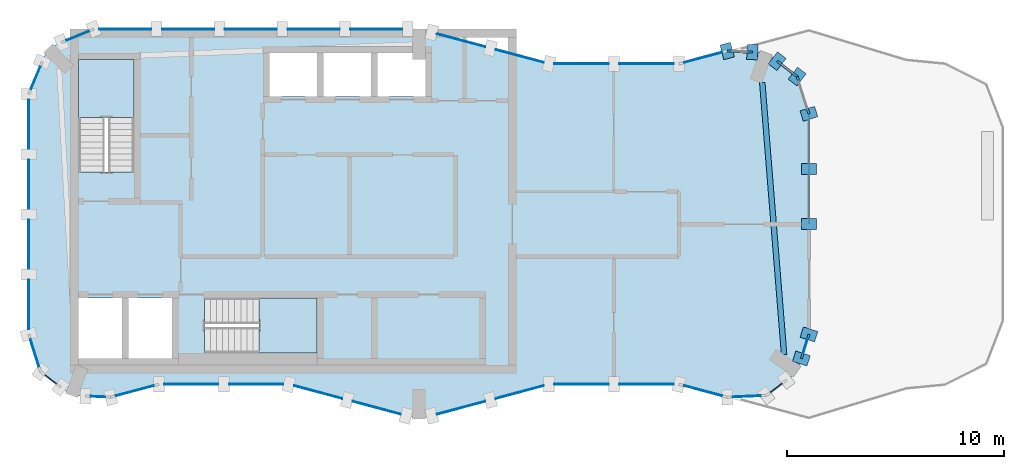
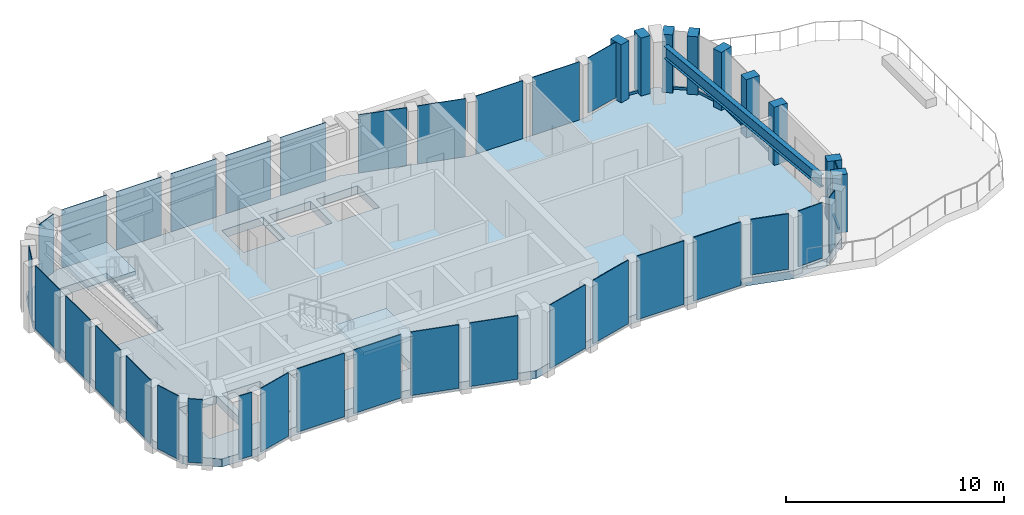
# One storey, part 2 of 5: 32 plates, 14 members, 3 slabs, 1 beam, 25 elements without a shape of their own.
"""IFC4 building model written with IfcOpenShell, lengths in metres."""

import ifcopenshell
import ifcopenshell.guid

model = None  # the IFC model being written
_history = None  # IfcOwnerHistory: only IFC2X3 demands one
_inside = {}  # id of a spatial element -> (the spatial element, [elements in it])
_under = {}  # id of a project, library or spatial element -> (it, [spatial elements below it])
_declared = {}  # id of a project -> (the project, [libraries it declares])
_typed = {}  # id of a type object -> (the type object, [elements of that type])
_made_of = {}  # id of a material, layer set ... -> (it, [elements and type objects made of it])


def new_model(schema):
    """Start an empty IFC model of exactly this schema.

    Asked for "IFC4X3", IfcOpenShell would pick the latest addendum, in which some entities
    have other attributes; the version numbers below select the first issue.
    IFC2X3 requires an IfcOwnerHistory on every rooted entity: one is made here for all.
    """
    global model, _history
    if schema == "IFC4X3":
        model = ifcopenshell.file(schema_version=(4, 3, 0, 0))
    else:
        model = ifcopenshell.file(schema=schema)
    _inside.clear()
    _under.clear()
    _declared.clear()
    _typed.clear()
    _made_of.clear()
    _history = None
    if model.schema == "IFC2X3":
        org = make("IfcOrganization", Name="unknown")
        user = make(
            "IfcPersonAndOrganization",
            ThePerson=make("IfcPerson", FamilyName="unknown"),
            TheOrganization=org,
        )
        app = make(
            "IfcApplication",
            ApplicationDeveloper=org,
            Version="unknown",
            ApplicationFullName="unknown",
            ApplicationIdentifier="unknown",
        )
        _history = make(
            "IfcOwnerHistory",
            OwningUser=user,
            OwningApplication=app,
            ChangeAction="ADDED",
            CreationDate=0,
        )
    return model


def make(cls, **values):
    """One entity of the class cls with the attributes given. An attribute that is None is left unset."""
    return model.create_entity(
        cls, **{name: value for name, value in values.items() if value is not None}
    )


def rooted(cls, **values):
    """An entity with a GlobalId (a new one), such as an element, a storey or a relation."""
    return make(cls, GlobalId=ifcopenshell.guid.new(), OwnerHistory=_history, **values)


def si_unit(unit_type, name, prefix=None):
    """IfcSIUnit, for example si_unit("LENGTHUNIT", "METRE", prefix="MILLI")."""
    return make("IfcSIUnit", UnitType=unit_type, Prefix=prefix, Name=name)


def assignment(units):
    """IfcUnitAssignment: the units of a project."""
    return None if units is None else make("IfcUnitAssignment", Units=units)


def point(xyz):
    """IfcCartesianPoint."""
    return None if xyz is None else make("IfcCartesianPoint", Coordinates=xyz)


def direction(xyz):
    """IfcDirection."""
    return None if xyz is None else make("IfcDirection", DirectionRatios=xyz)


def frame(location, z_axis=None, x_axis=None):
    """IfcAxis2Placement3D, a coordinate frame: its origin and axes. An axis left out is left unset."""
    return make(
        "IfcAxis2Placement3D",
        Location=point(location),
        Axis=direction(z_axis),
        RefDirection=direction(x_axis),
    )


def frame_2d(location, x_axis=None):
    """IfcAxis2Placement2D, a coordinate frame in the plane: its origin and x axis."""
    return make(
        "IfcAxis2Placement2D", Location=point(location), RefDirection=direction(x_axis)
    )


def origin():
    """The frame at (0, 0, 0) with its axes left unset."""
    return frame((0.0, 0.0, 0.0))


def origin_2d():
    """The frame at (0, 0) in the plane with its x axis left unset."""
    return frame_2d((0.0, 0.0))


def place(relative_to, where):
    """IfcLocalPlacement: puts the frame where relative to a parent placement (None: the world)."""
    return make(
        "IfcLocalPlacement", PlacementRelTo=relative_to, RelativePlacement=where
    )


def context(
    kind, dimensions, precision=None, world=None, true_north=None, identifier=None
):
    """IfcGeometricRepresentationContext, for example the 3D "Model" context."""
    return make(
        "IfcGeometricRepresentationContext",
        ContextIdentifier=identifier,
        ContextType=kind,
        CoordinateSpaceDimension=dimensions,
        Precision=precision,
        WorldCoordinateSystem=world,
        TrueNorth=true_north,
    )


def subcontext(parent, identifier, kind, view, scale=None):
    """IfcGeometricRepresentationSubContext, for example "Body" below "Model"."""
    return make(
        "IfcGeometricRepresentationSubContext",
        ContextIdentifier=identifier,
        ContextType=kind,
        ParentContext=parent,
        TargetScale=scale,
        TargetView=view,
    )


def project(units=None, contexts=None):
    """IfcProject with its units and contexts."""
    return rooted(
        "IfcProject",
        Name="project",
        RepresentationContexts=contexts,
        UnitsInContext=assignment(units),
    )


def spatial(cls, under=None, at=None, **own):
    """A site, building, storey or space (cls), placed at a placement, below another one or the project."""
    s = rooted(cls, ObjectPlacement=at, **own)
    if under is not None:
        _under.setdefault(under.id(), (under, []))[1].append(s)
    return s


def polyline(points):
    """IfcPolyline through the points."""
    return make("IfcPolyline", Points=[point(p) for p in points])


def profile(cls, at=None, kind="AREA", **sizes):
    """A parametric profile (cls). Its sizes go by their IFC names, for example OverallWidth=200.0."""
    return make(cls, ProfileType=kind, Position=at, **sizes)


def rectangle(**sizes):
    """IfcRectangleProfileDef."""
    return profile("IfcRectangleProfileDef", **sizes)


def i_section(**sizes):
    """IfcIShapeProfileDef."""
    return profile("IfcIShapeProfileDef", **sizes)


def outline(outer, holes=None, kind="AREA"):
    """IfcArbitraryClosedProfileDef: a profile drawn as a closed curve; with holes, ...WithVoids."""
    if holes is None:
        return make("IfcArbitraryClosedProfileDef", ProfileType=kind, OuterCurve=outer)
    return make(
        "IfcArbitraryProfileDefWithVoids",
        ProfileType=kind,
        OuterCurve=outer,
        InnerCurves=holes,
    )


def extrude(swept, where, along, depth):
    """IfcExtrudedAreaSolid: the profile swept, set in the frame where, extruded along a direction by depth."""
    return make(
        "IfcExtrudedAreaSolid",
        SweptArea=swept,
        Position=where,
        ExtrudedDirection=direction(along),
        Depth=depth,
    )


def shape(context_of_items, identifier, shape_type, items):
    """IfcShapeRepresentation: the items that make up one representation, for example the "Body"."""
    return make(
        "IfcShapeRepresentation",
        ContextOfItems=context_of_items,
        RepresentationIdentifier=identifier,
        RepresentationType=shape_type,
        Items=items,
    )


def material(Name=None, Category=None):
    """IfcMaterial."""
    return make("IfcMaterial", Name=Name, Category=Category)


def layer(
    of_material, thickness, ventilated=None, Name=None, Category=None, Priority=None
):
    """IfcMaterialLayer: one layer of a wall or slab, of a material (None: an air gap)."""
    return make(
        "IfcMaterialLayer",
        Material=of_material,
        LayerThickness=thickness,
        IsVentilated=ventilated,
        Name=Name,
        Category=Category,
        Priority=Priority,
    )


def layer_set(layers, Name=None):
    """IfcMaterialLayerSet."""
    return make("IfcMaterialLayerSet", MaterialLayers=layers, LayerSetName=Name)


def material_profile(
    of_material, cross_section, Name=None, Category=None, Priority=None
):
    """IfcMaterialProfile: a cross section and its material."""
    return make(
        "IfcMaterialProfile",
        Name=Name,
        Material=of_material,
        Profile=cross_section,
        Priority=Priority,
        Category=Category,
    )


def profile_set(profiles, Name=None, composite=None):
    """IfcMaterialProfileSet."""
    return make(
        "IfcMaterialProfileSet",
        Name=Name,
        MaterialProfiles=profiles,
        CompositeProfile=composite,
    )


def made_of(thing, what):
    """Note that an element or type object is made of a material, layer set ...; save() writes the relation."""
    if what is not None:
        _made_of.setdefault(what.id(), (what, []))[1].append(thing)
    return thing


def type_object(cls, material=None, **own):
    """A type object (cls), such as IfcWallType, which elements share."""
    return made_of(rooted(cls, **own), material)


def element(
    cls,
    number,
    at=None,
    inside=None,
    cuts=None,
    type_object=None,
    material=None,
    context=None,
    identifier="Body",
    shape_type=None,
    held_by="IfcProductDefinitionShape",
    body=None,
    shapes=None,
    **own,
):
    """One element of the class cls, such as IfcWall. Its Tag is "e" and its number.

    at: its placement. inside: the storey or other place that contains it. cuts: it is an
    opening in that element (IfcRelVoidsElement). A single representation is given by context,
    identifier, shape_type and body (its items); several are given by shapes. held_by: the class
    of the entity that holds the representations. save() writes the other relations.
    """
    e = rooted(cls, Tag="e%d" % number, ObjectPlacement=at, **own)
    if body is not None:
        shapes = [shape(context, identifier, shape_type, body)]
    if shapes is not None:
        e.Representation = make(held_by, Representations=shapes)
    if inside is not None:
        _inside.setdefault(inside.id(), (inside, []))[1].append(e)
    if cuts is not None:
        rooted(
            "IfcRelVoidsElement", RelatingBuildingElement=cuts, RelatedOpeningElement=e
        )
    if type_object is not None:
        _typed.setdefault(type_object.id(), (type_object, []))[1].append(e)
    return made_of(e, material)


def aggregate(whole, parts):
    """IfcRelAggregates: a whole, such as a stair, and the parts it consists of."""
    return rooted("IfcRelAggregates", RelatingObject=whole, RelatedObjects=parts)


def save(model, path):
    """Write the relations noted so far, then the file.

    IfcRelAggregates (storeys below a building ...), IfcRelContainedInSpatialStructure (elements
    in a storey), IfcRelDefinesByType, IfcRelAssociatesMaterial and IfcRelDeclares: one each for
    every whole, place, type object, material and project.
    """
    for whole, parts in _under.values():
        aggregate(whole, parts)
    for where, things in _inside.values():
        rooted(
            "IfcRelContainedInSpatialStructure",
            RelatedElements=things,
            RelatingStructure=where,
        )
    for kind, things in _typed.values():
        rooted("IfcRelDefinesByType", RelatedObjects=things, RelatingType=kind)
    for what, things in _made_of.values():
        rooted("IfcRelAssociatesMaterial", RelatedObjects=things, RelatingMaterial=what)
    for by, libraries in _declared.values():
        rooted("IfcRelDeclares", RelatingContext=by, RelatedDefinitions=libraries)
    model.write(path)


model = new_model("IFC4")

# Units and contexts
model_context = context("Model", 3, precision=1e-05, world=origin(), true_north=direction((0.0, 1.0)))
body_context = subcontext(model_context, "Body", "Model", "MODEL_VIEW")
ifc_project = project(units=[si_unit("LENGTHUNIT", "METRE"), si_unit("AREAUNIT", "SQUARE_METRE"), si_unit("VOLUMEUNIT", "CUBIC_METRE"), si_unit("PLANEANGLEUNIT", "RADIAN"), si_unit("MASSUNIT", "GRAM", prefix="KILO")], contexts=[model_context])

# Site, building, storey
site_placement = place(None, origin())
site = spatial("IfcSite", under=ifc_project, at=site_placement, CompositionType="ELEMENT")
building_placement = place(site_placement, origin())
building = spatial("IfcBuilding", under=site, at=building_placement, Name="Plateau Cross Towers", CompositionType="ELEMENT")
storey_placement = place(building_placement, frame((0.0, 0.0, 294.89990234375)))
storey = spatial("IfcBuildingStorey", under=building, at=storey_placement, Name="L78 Crown 2", CompositionType="ELEMENT", Elevation=294.89990234375)

# Beam
ifc_material_1 = material(Name="Steel S355", Category="steel")
ifc_material_profile_1 = material_profile(ifc_material_1, i_section(OverallWidth=0.2529296875, OverallDepth=0.677978515625, WebThickness=0.01171875, FlangeThickness=0.01611328125, FilletRadius=0.01513671875, at=origin_2d()), Name="UB 686x254x125")
ifc_profile_set_1 = profile_set([ifc_material_profile_1], Name="Steel S355")
beam_type = type_object("IfcBeamType", Name="Crown ring beam UB 686x254x125", PredefinedType="BEAM", material=ifc_profile_set_1)
beam_placement = place(storey_placement, frame((34.85302734375, 2.97802734375, 2.9111328125), z_axis=(-0.080067998508, 0.996789403844, 0.0), x_axis=(-0.996789403844, -0.080067998508, 0.0)))
element("IfcBeam", 1, at=beam_placement, inside=storey, type_object=beam_type, Name="CRB-L78 Crown 2-02", PredefinedType="BEAM", context=body_context, shape_type="SweptSolid", body=[
    extrude(i_section(OverallWidth=0.2529296875, OverallDepth=0.677978515625, WebThickness=0.01171875, FlangeThickness=0.01611328125, FilletRadius=0.01513671875, at=origin_2d()), origin(), (0.0, 0.0, 1.0), 12.59619140625),
])

# Curtain wall, members
ifc_material_2 = material(Name="Dark low-iron glass", Category="glass")
ifc_layer_1 = layer(ifc_material_2, 0.800048828125)
ifc_layer_set_1 = layer_set([ifc_layer_1], Name="Dark low-iron glass")
curtain_wall_type = type_object("IfcCurtainWallType", Name="Curtain wall sky lounge CW-D", PredefinedType="NOTDEFINED", material=ifc_layer_set_1)
curtain_wall_1_placement = place(storey_placement, origin())
curtain_wall_1 = element("IfcCurtainWall", 2, at=curtain_wall_1_placement, inside=storey, type_object=curtain_wall_type, Name="ENV/A/L78 Crown 2/A356_28", PredefinedType="NOTDEFINED")
ifc_material_3 = material(Name="Black anodised aluminium", Category="aluminium")
ifc_material_profile_2 = material_profile(ifc_material_3, rectangle(XDim=0.5, YDim=0.699951171875, at=origin_2d()), Name="MULLION 500x700")
ifc_profile_set_2 = profile_set([ifc_material_profile_2], Name="Black anodised aluminium")
member_type_1 = type_object("IfcMemberType", Name="Mullion 500x700 sky lounge", PredefinedType="MULLION", material=ifc_profile_set_2)
member_1_placement = place(storey_placement, frame((35.6494140625, 2.796875, 0.0), z_axis=(0.0, 0.0, 1.0), x_axis=(0.300686174994, 0.95372313811, 0.0)))
member_1 = element("IfcMember", 3, at=member_1_placement, type_object=member_type_1, Name="CW-D mullion 1", PredefinedType="MULLION", context=body_context, shape_type="SweptSolid", body=[
    extrude(rectangle(XDim=0.5, YDim=0.699951171875, at=origin_2d()), origin(), (0.0, 0.0, 1.0), 3.25),
])
member_2_placement = place(storey_placement, frame((36.0, 3.9091796875, 0.0), z_axis=(0.0, 0.0, 1.0), x_axis=(0.300686174994, 0.95372313811, 0.0)))
member_2 = element("IfcMember", 4, at=member_2_placement, type_object=member_type_1, Name="CW-D mullion 2", PredefinedType="MULLION", context=body_context, shape_type="SweptSolid", body=[
    extrude(rectangle(XDim=0.5, YDim=0.699951171875, at=origin_2d()), origin(), (0.0, 0.0, 1.0), 3.25),
])

curtain_wall_2_placement = place(storey_placement, origin())
curtain_wall_2 = element("IfcCurtainWall", 5, at=curtain_wall_2_placement, inside=storey, type_object=curtain_wall_type, Name="ENV/A/L78 Crown 2/A360_90", PredefinedType="NOTDEFINED")
member_3_placement = place(storey_placement, frame((36.0, 9.0, 0.0), z_axis=(0.0, 0.0, 1.0), x_axis=(0.0, 1.0, 0.0)))
member_3 = element("IfcMember", 6, at=member_3_placement, type_object=member_type_1, Name="CW-D mullion 1", PredefinedType="MULLION", context=body_context, shape_type="SweptSolid", body=[
    extrude(rectangle(XDim=0.5, YDim=0.699951171875, at=origin_2d()), origin(), (0.0, 0.0, 1.0), 3.25),
])
member_4_placement = place(storey_placement, frame((36.0, 11.54541015625, 0.0), z_axis=(0.0, 0.0, 1.0), x_axis=(0.0, 1.0, 0.0)))
member_4 = element("IfcMember", 7, at=member_4_placement, type_object=member_type_1, Name="CW-D mullion 2", PredefinedType="MULLION", context=body_context, shape_type="SweptSolid", body=[
    extrude(rectangle(XDim=0.5, YDim=0.699951171875, at=origin_2d()), origin(), (0.0, 0.0, 1.0), 3.25),
])

# Curtain wall, member
curtain_wall_3_placement = place(storey_placement, origin())
curtain_wall_3 = element("IfcCurtainWall", 8, at=curtain_wall_3_placement, inside=storey, type_object=curtain_wall_type, Name="ENV/A/L78 Crown 2/A360_141", PredefinedType="NOTDEFINED")
member_5_placement = place(storey_placement, frame((36.0, 14.0908203125, 0.0), z_axis=(0.0, 0.0, 1.0), x_axis=(-0.300686174994, 0.95372313811, 0.0)))
member_5 = element("IfcMember", 9, at=member_5_placement, type_object=member_type_1, Name="CW-D mullion 1", PredefinedType="MULLION", context=body_context, shape_type="SweptSolid", body=[
    extrude(rectangle(XDim=0.5, YDim=0.699951171875, at=origin_2d()), origin(), (0.0, 0.0, 1.0), 3.25),
])

# Curtain wall, members
curtain_wall_4_placement = place(storey_placement, origin())
curtain_wall_4 = element("IfcCurtainWall", 10, at=curtain_wall_4_placement, inside=storey, type_object=curtain_wall_type, Name="ENV/A/L78 Crown 2/A355_158", PredefinedType="NOTDEFINED")
member_6_placement = place(storey_placement, frame((35.45751953125, 15.8115234375, 0.0), z_axis=(0.0, 0.0, 1.0), x_axis=(-0.793315514529, 0.608810721331, 0.0)))
member_6 = element("IfcMember", 11, at=member_6_placement, type_object=member_type_1, Name="CW-D mullion 1", PredefinedType="MULLION", context=body_context, shape_type="SweptSolid", body=[
    extrude(rectangle(XDim=0.5, YDim=0.699951171875, at=origin_2d()), origin(), (0.0, 0.0, 1.0), 3.25),
])
member_7_placement = place(storey_placement, frame((34.532470703125, 16.521484375, 0.0), z_axis=(0.0, 0.0, 1.0), x_axis=(-0.793315514529, 0.608810721331, 0.0)))
member_7 = element("IfcMember", 12, at=member_7_placement, type_object=member_type_1, Name="CW-D mullion 2", PredefinedType="MULLION", context=body_context, shape_type="SweptSolid", body=[
    extrude(rectangle(XDim=0.5, YDim=0.699951171875, at=origin_2d()), origin(), (0.0, 0.0, 1.0), 3.25),
])

# Curtain wall, member
curtain_wall_5_placement = place(storey_placement, origin())
curtain_wall_5 = element("IfcCurtainWall", 13, at=curtain_wall_5_placement, inside=storey, type_object=curtain_wall_type, Name="ENV/A/L78 Crown 2/A334_169", PredefinedType="NOTDEFINED")
member_8_placement = place(storey_placement, frame((33.388916015625, 16.937744140625, 0.0), z_axis=(0.0, 0.0, 1.0), x_axis=(-0.999043701491, 0.043722791671, 0.0)))
member_8 = element("IfcMember", 14, at=member_8_placement, type_object=member_type_1, Name="CW-D mullion 1", PredefinedType="MULLION", context=body_context, shape_type="SweptSolid", body=[
    extrude(rectangle(XDim=0.5, YDim=0.699951171875, at=origin_2d()), origin(), (0.0, 0.0, 1.0), 3.25),
])

curtain_wall_6_placement = place(storey_placement, origin())
curtain_wall_6 = element("IfcCurtainWall", 15, at=curtain_wall_6_placement, inside=storey, type_object=curtain_wall_type, Name="ENV/A/L78 Crown 2/A322_170", PredefinedType="NOTDEFINED")
member_9_placement = place(storey_placement, frame((32.223876953125, 16.98876953125, 0.0), z_axis=(0.0, 0.0, 1.0), x_axis=(-0.965957962328, -0.258699081978, 0.0)))
member_9 = element("IfcMember", 16, at=member_9_placement, type_object=member_type_1, Name="CW-D mullion 1", PredefinedType="MULLION", context=body_context, shape_type="SweptSolid", body=[
    extrude(rectangle(XDim=0.5, YDim=0.699951171875, at=origin_2d()), origin(), (0.0, 0.0, 1.0), 3.25),
])

# Member
ifc_material_profile_3 = material_profile(ifc_material_3, rectangle(XDim=0.10009765625, YDim=0.139892578125, at=origin_2d()), Name="TRANSOM 100x140")
ifc_profile_set_3 = profile_set([ifc_material_profile_3], Name="Black anodised aluminium")
member_type_2 = type_object("IfcMemberType", Name="Transom 100x140 sky lounge", PredefinedType="USERDEFINED", material=ifc_profile_set_3)
member_10_placement = place(storey_placement, frame((35.6494140625, 2.796875, 0.070068359375), z_axis=(0.300610349145, 0.95374704088, 0.0), x_axis=(-0.95374704088, 0.300610349145, 0.0)))
member_10 = element("IfcMember", 17, at=member_10_placement, type_object=member_type_2, Name="CW-D transom", ObjectType="TRANSOM", PredefinedType="USERDEFINED", context=body_context, shape_type="SweptSolid", body=[
    extrude(rectangle(XDim=0.10009765625, YDim=0.139892578125, at=origin_2d()), origin(), (0.0, 0.0, 1.0), 1.166259765625),
])

member_11_placement = place(storey_placement, frame((36.0, 9.0, 0.070068359375), z_axis=(0.0, 1.0, 0.0), x_axis=(-1.0, 0.0, 0.0)))
member_11 = element("IfcMember", 18, at=member_11_placement, type_object=member_type_2, Name="CW-D transom", ObjectType="TRANSOM", PredefinedType="USERDEFINED", context=body_context, shape_type="SweptSolid", body=[
    extrude(rectangle(XDim=0.10009765625, YDim=0.139892578125, at=origin_2d()), origin(), (0.0, 0.0, 1.0), 5.0908203125),
])

aggregate(curtain_wall_2, [member_3, member_4, member_11])

member_12_placement = place(storey_placement, frame((36.0, 14.0908203125, 0.070068359375), z_axis=(-0.30067799945, 0.953725715626, 0.0), x_axis=(-0.953725715626, -0.30067799945, 0.0)))
member_12 = element("IfcMember", 19, at=member_12_placement, type_object=member_type_2, Name="CW-D transom", ObjectType="TRANSOM", PredefinedType="USERDEFINED", context=body_context, shape_type="SweptSolid", body=[
    extrude(rectangle(XDim=0.10009765625, YDim=0.139892578125, at=origin_2d()), origin(), (0.0, 0.0, 1.0), 1.80419921875),
])

aggregate(curtain_wall_3, [member_5, member_12])

member_13_placement = place(storey_placement, frame((35.45751953125, 15.8115234375, 0.070068359375), z_axis=(-0.793292864311, 0.608840234736, 0.0), x_axis=(-0.608840234736, -0.793292864311, 0.0)))
member_13 = element("IfcMember", 20, at=member_13_placement, type_object=member_type_2, Name="CW-D transom", ObjectType="TRANSOM", PredefinedType="USERDEFINED", context=body_context, shape_type="SweptSolid", body=[
    extrude(rectangle(XDim=0.10009765625, YDim=0.139892578125, at=origin_2d()), origin(), (0.0, 0.0, 1.0), 1.166015625),
])

aggregate(curtain_wall_4, [member_6, member_7, member_13])

member_14_placement = place(storey_placement, frame((33.388916015625, 16.937744140625, 0.070068359375), z_axis=(-0.999042282418, 0.043755204741, 0.0), x_axis=(-0.043755204741, -0.999042282418, 0.0)))
member_14 = element("IfcMember", 21, at=member_14_placement, type_object=member_type_2, Name="CW-D transom", ObjectType="TRANSOM", PredefinedType="USERDEFINED", context=body_context, shape_type="SweptSolid", body=[
    extrude(rectangle(XDim=0.10009765625, YDim=0.139892578125, at=origin_2d()), origin(), (0.0, 0.0, 1.0), 1.166259765625),
])

aggregate(curtain_wall_5, [member_8, member_14])

# Curtain wall, plate
curtain_wall_7_placement = place(storey_placement, origin())
curtain_wall_7 = element("IfcCurtainWall", 22, at=curtain_wall_7_placement, inside=storey, type_object=curtain_wall_type, Name="ENV/A/L78 Crown 2/A38_10", PredefinedType="NOTDEFINED")
ifc_layer_2 = layer(ifc_material_2, 0.0400390625)
ifc_layer_set_2 = layer_set([ifc_layer_2], Name="Dark low-iron glass")
plate_type = type_object("IfcPlateType", Name="Glass panel 40 sky lounge", PredefinedType="CURTAIN_PANEL", material=ifc_layer_set_2)
plate_1_placement = place(storey_placement, frame((4.887939453125, 1.30908203125, -0.309814453125), z_axis=(0.0, 0.0, 1.0), x_axis=(0.965957962328, 0.258699081978, 0.0)))
plate_1 = element("IfcPlate", 23, at=plate_1_placement, type_object=plate_type, Name="CW-D panel 1", PredefinedType="CURTAIN_PANEL", context=body_context, shape_type="SweptSolid", body=[
    extrude(rectangle(XDim=1.80224609375, YDim=0.0400390625, at=origin_2d()), origin(), (0.0, 0.0, 1.0), 3.56005859375),
])
aggregate(curtain_wall_7, [plate_1])

# Curtain wall, plates
curtain_wall_8_placement = place(storey_placement, origin())
curtain_wall_8 = element("IfcCurtainWall", 24, at=curtain_wall_8_placement, inside=storey, type_object=curtain_wall_type, Name="ENV/A/L78 Crown 2/A60_16", PredefinedType="NOTDEFINED")
plate_2_placement = place(storey_placement, frame((7.5, 1.60693359375, -0.309814453125), z_axis=(0.0, 0.0, 1.0), x_axis=(1.0, 0.0, 0.0)))
plate_2 = element("IfcPlate", 25, at=plate_2_placement, type_object=plate_type, Name="CW-D panel 1", PredefinedType="CURTAIN_PANEL", context=body_context, shape_type="SweptSolid", body=[
    extrude(rectangle(XDim=2.5, YDim=0.0400390625, at=origin_2d()), origin(), (0.0, 0.0, 1.0), 3.56005859375),
])
plate_3_placement = place(storey_placement, frame((10.5, 1.60693359375, -0.309814453125), z_axis=(0.0, 0.0, 1.0), x_axis=(1.0, 0.0, 0.0)))
plate_3 = element("IfcPlate", 26, at=plate_3_placement, type_object=plate_type, Name="CW-D panel 2", PredefinedType="CURTAIN_PANEL", context=body_context, shape_type="SweptSolid", body=[
    extrude(rectangle(XDim=2.5, YDim=0.0400390625, at=origin_2d()), origin(), (0.0, 0.0, 1.0), 3.56005859375),
])
aggregate(curtain_wall_8, [plate_2, plate_3])

curtain_wall_9_placement = place(storey_placement, origin())
curtain_wall_9 = element("IfcCurtainWall", 27, at=curtain_wall_9_placement, inside=storey, type_object=curtain_wall_type, Name="ENV/A/L78 Crown 2/A120_16", PredefinedType="NOTDEFINED")
plate_4_placement = place(storey_placement, frame((13.350830078125, 1.2451171875, -0.309814453125), z_axis=(0.0, 0.0, 1.0), x_axis=(0.965957983404, -0.258699003279, 0.0)))
plate_4 = element("IfcPlate", 28, at=plate_4_placement, type_object=plate_type, Name="CW-D panel 1", PredefinedType="CURTAIN_PANEL", context=body_context, shape_type="SweptSolid", body=[
    extrude(rectangle(XDim=2.296875, YDim=0.0400390625, at=origin_2d()), origin(), (0.0, 0.0, 1.0), 3.56005859375),
])
plate_5_placement = place(storey_placement, frame((16.05224609375, 0.521728515625, -0.309814453125), z_axis=(0.0, 0.0, 1.0), x_axis=(0.965957983404, -0.258699003279, 0.0)))
plate_5 = element("IfcPlate", 29, at=plate_5_placement, type_object=plate_type, Name="CW-D panel 2", PredefinedType="CURTAIN_PANEL", context=body_context, shape_type="SweptSolid", body=[
    extrude(rectangle(XDim=2.296875, YDim=0.0400390625, at=origin_2d()), origin(), (0.0, 0.0, 1.0), 3.56005859375),
])
aggregate(curtain_wall_9, [plate_4, plate_5])

curtain_wall_10_placement = place(storey_placement, origin())
curtain_wall_10 = element("IfcCurtainWall", 30, at=curtain_wall_10_placement, inside=storey, type_object=curtain_wall_type, Name="ENV/A/L78 Crown 2/A186_2", PredefinedType="NOTDEFINED")
plate_6_placement = place(storey_placement, frame((19.94775390625, 0.521728515625, -0.309814453125), z_axis=(0.0, 0.0, 1.0), x_axis=(0.965957983404, 0.258699003279, 0.0)))
plate_6 = element("IfcPlate", 31, at=plate_6_placement, type_object=plate_type, Name="CW-D panel 1", PredefinedType="CURTAIN_PANEL", context=body_context, shape_type="SweptSolid", body=[
    extrude(rectangle(XDim=2.296875, YDim=0.0400390625, at=origin_2d()), origin(), (0.0, 0.0, 1.0), 3.56005859375),
])
plate_7_placement = place(storey_placement, frame((22.649169921875, 1.2451171875, -0.309814453125), z_axis=(0.0, 0.0, 1.0), x_axis=(0.965957983404, 0.258699003279, 0.0)))
plate_7 = element("IfcPlate", 32, at=plate_7_placement, type_object=plate_type, Name="CW-D panel 2", PredefinedType="CURTAIN_PANEL", context=body_context, shape_type="SweptSolid", body=[
    extrude(rectangle(XDim=2.296875, YDim=0.0400390625, at=origin_2d()), origin(), (0.0, 0.0, 1.0), 3.56005859375),
])
aggregate(curtain_wall_10, [plate_6, plate_7])

curtain_wall_11_placement = place(storey_placement, origin())
curtain_wall_11 = element("IfcCurtainWall", 33, at=curtain_wall_11_placement, inside=storey, type_object=curtain_wall_type, Name="ENV/A/L78 Crown 2/A240_16", PredefinedType="NOTDEFINED")
plate_8_placement = place(storey_placement, frame((25.5, 1.60693359375, -0.309814453125), z_axis=(0.0, 0.0, 1.0), x_axis=(1.0, 0.0, 0.0)))
plate_8 = element("IfcPlate", 34, at=plate_8_placement, type_object=plate_type, Name="CW-D panel 1", PredefinedType="CURTAIN_PANEL", context=body_context, shape_type="SweptSolid", body=[
    extrude(rectangle(XDim=2.5, YDim=0.0400390625, at=origin_2d()), origin(), (0.0, 0.0, 1.0), 3.56005859375),
])
plate_9_placement = place(storey_placement, frame((28.5, 1.60693359375, -0.309814453125), z_axis=(0.0, 0.0, 1.0), x_axis=(1.0, 0.0, 0.0)))
plate_9 = element("IfcPlate", 35, at=plate_9_placement, type_object=plate_type, Name="CW-D panel 2", PredefinedType="CURTAIN_PANEL", context=body_context, shape_type="SweptSolid", body=[
    extrude(rectangle(XDim=2.5, YDim=0.0400390625, at=origin_2d()), origin(), (0.0, 0.0, 1.0), 3.56005859375),
])
aggregate(curtain_wall_11, [plate_8, plate_9])

# Curtain wall, plate
curtain_wall_12_placement = place(storey_placement, origin())
curtain_wall_12 = element("IfcCurtainWall", 36, at=curtain_wall_12_placement, inside=storey, type_object=curtain_wall_type, Name="ENV/A/L78 Crown 2/A300_16", PredefinedType="NOTDEFINED")
plate_10_placement = place(storey_placement, frame((31.112060546875, 1.30908203125, 0.14013671875), z_axis=(0.0, 0.0, 1.0), x_axis=(0.965957962328, -0.258699081978, 0.0)))
plate_10 = element("IfcPlate", 37, at=plate_10_placement, type_object=plate_type, Name="CW-D panel 1", PredefinedType="CURTAIN_PANEL", context=body_context, shape_type="SweptSolid", body=[
    extrude(rectangle(XDim=1.80224609375, YDim=0.0400390625, at=origin_2d()), origin(), (0.0, 0.0, 1.0), 3.110107421875),
])
aggregate(curtain_wall_12, [plate_10])

curtain_wall_13_placement = place(storey_placement, origin())
curtain_wall_13 = element("IfcCurtainWall", 38, at=curtain_wall_13_placement, inside=storey, type_object=curtain_wall_type, Name="ENV/A/L78 Crown 2/A322_10", PredefinedType="NOTDEFINED")
plate_11_placement = place(storey_placement, frame((33.125, 1.05078125, 0.14013671875), z_axis=(0.0, 0.0, 1.0), x_axis=(0.999043701491, 0.043722791671, 0.0)))
plate_11 = element("IfcPlate", 39, at=plate_11_placement, type_object=plate_type, Name="CW-D panel 1", PredefinedType="CURTAIN_PANEL", context=body_context, shape_type="SweptSolid", body=[
    extrude(rectangle(XDim=1.30419921875, YDim=0.0400390625, at=origin_2d()), origin(), (0.0, 0.0, 1.0), 3.110107421875),
])
aggregate(curtain_wall_13, [plate_11])

curtain_wall_14_placement = place(storey_placement, origin())
curtain_wall_14 = element("IfcCurtainWall", 40, at=curtain_wall_14_placement, inside=storey, type_object=curtain_wall_type, Name="ENV/A/L78 Crown 2/A340_11", PredefinedType="NOTDEFINED")
plate_12_placement = place(storey_placement, frame((34.48876953125, 1.445068359375, 0.14013671875), z_axis=(0.0, 0.0, 1.0), x_axis=(0.793315514529, 0.608810721331, 0.0)))
plate_12 = element("IfcPlate", 41, at=plate_12_placement, type_object=plate_type, Name="CW-D panel 1", PredefinedType="CURTAIN_PANEL", context=body_context, shape_type="SweptSolid", body=[
    extrude(rectangle(XDim=0.666259765625, YDim=0.0400390625, at=origin_2d()), origin(), (0.0, 0.0, 1.0), 3.110107421875),
])
aggregate(curtain_wall_14, [plate_12])

# Plate
plate_13_placement = place(storey_placement, frame((35.82470703125, 3.35302734375, 0.14013671875), z_axis=(0.0, 0.0, 1.0), x_axis=(0.300686174994, 0.95372313811, 0.0)))
plate_13 = element("IfcPlate", 42, at=plate_13_placement, type_object=plate_type, Name="CW-D panel 1", PredefinedType="CURTAIN_PANEL", context=body_context, shape_type="SweptSolid", body=[
    extrude(rectangle(XDim=0.666259765625, YDim=0.0400390625, at=origin_2d()), origin(), (0.0, 0.0, 1.0), 3.110107421875),
])

aggregate(curtain_wall_1, [member_1, member_2, member_10, plate_13])

plate_14_placement = place(storey_placement, frame((31.112060546875, 16.69091796875, 0.14013671875), z_axis=(0.0, 0.0, 1.0), x_axis=(-0.965957962328, -0.258699081978, 0.0)))
plate_14 = element("IfcPlate", 43, at=plate_14_placement, type_object=plate_type, Name="CW-D panel 1", PredefinedType="CURTAIN_PANEL", context=body_context, shape_type="SweptSolid", body=[
    extrude(rectangle(XDim=1.80224609375, YDim=0.0400390625, at=origin_2d()), origin(), (0.0, 0.0, 1.0), 3.110107421875),
])

aggregate(curtain_wall_6, [member_9, plate_14])

# Curtain wall, plates
curtain_wall_15_placement = place(storey_placement, origin())
curtain_wall_15 = element("IfcCurtainWall", 44, at=curtain_wall_15_placement, inside=storey, type_object=curtain_wall_type, Name="ENV/A/L78 Crown 2/A300_164", PredefinedType="NOTDEFINED")
plate_15_placement = place(storey_placement, frame((28.5, 16.39306640625, -0.309814453125), z_axis=(0.0, 0.0, 1.0), x_axis=(-1.0, 0.0, 0.0)))
plate_15 = element("IfcPlate", 45, at=plate_15_placement, type_object=plate_type, Name="CW-D panel 1", PredefinedType="CURTAIN_PANEL", context=body_context, shape_type="SweptSolid", body=[
    extrude(rectangle(XDim=2.5, YDim=0.0400390625, at=origin_2d()), origin(), (0.0, 0.0, 1.0), 3.56005859375),
])
plate_16_placement = place(storey_placement, frame((25.5, 16.39306640625, -0.309814453125), z_axis=(0.0, 0.0, 1.0), x_axis=(-1.0, 0.0, 0.0)))
plate_16 = element("IfcPlate", 46, at=plate_16_placement, type_object=plate_type, Name="CW-D panel 2", PredefinedType="CURTAIN_PANEL", context=body_context, shape_type="SweptSolid", body=[
    extrude(rectangle(XDim=2.5, YDim=0.0400390625, at=origin_2d()), origin(), (0.0, 0.0, 1.0), 3.56005859375),
])
aggregate(curtain_wall_15, [plate_15, plate_16])

curtain_wall_16_placement = place(storey_placement, origin())
curtain_wall_16 = element("IfcCurtainWall", 47, at=curtain_wall_16_placement, inside=storey, type_object=curtain_wall_type, Name="ENV/A/L78 Crown 2/A240_164", PredefinedType="NOTDEFINED")
plate_17_placement = place(storey_placement, frame((22.649169921875, 16.7548828125, -0.309814453125), z_axis=(0.0, 0.0, 1.0), x_axis=(-0.965957983404, 0.258699003279, 0.0)))
plate_17 = element("IfcPlate", 48, at=plate_17_placement, type_object=plate_type, Name="CW-D panel 1", PredefinedType="CURTAIN_PANEL", context=body_context, shape_type="SweptSolid", body=[
    extrude(rectangle(XDim=2.296875, YDim=0.0400390625, at=origin_2d()), origin(), (0.0, 0.0, 1.0), 3.56005859375),
])
plate_18_placement = place(storey_placement, frame((19.94775390625, 17.478271484375, -0.309814453125), z_axis=(0.0, 0.0, 1.0), x_axis=(-0.965957983404, 0.258699003279, 0.0)))
plate_18 = element("IfcPlate", 49, at=plate_18_placement, type_object=plate_type, Name="CW-D panel 2", PredefinedType="CURTAIN_PANEL", context=body_context, shape_type="SweptSolid", body=[
    extrude(rectangle(XDim=2.296875, YDim=0.0400390625, at=origin_2d()), origin(), (0.0, 0.0, 1.0), 3.56005859375),
])
aggregate(curtain_wall_16, [plate_17, plate_18])

curtain_wall_17_placement = place(storey_placement, origin())
curtain_wall_17 = element("IfcCurtainWall", 50, at=curtain_wall_17_placement, inside=storey, type_object=curtain_wall_type, Name="ENV/A/L78 Crown 2/A175_180", PredefinedType="NOTDEFINED")
plate_19_placement = place(storey_placement, frame((16.03662109375, 18.0, -0.309814453125), z_axis=(0.0, 0.0, 1.0), x_axis=(-1.0, 0.0, 0.0)))
plate_19 = element("IfcPlate", 51, at=plate_19_placement, type_object=plate_type, Name="CW-D panel 1", PredefinedType="CURTAIN_PANEL", context=body_context, shape_type="SweptSolid", body=[
    extrude(rectangle(XDim=2.39697265625, YDim=0.0400390625, at=origin_2d()), origin(), (0.0, 0.0, 1.0), 3.56005859375),
])
plate_20_placement = place(storey_placement, frame((13.139404296875, 18.0, -0.309814453125), z_axis=(0.0, 0.0, 1.0), x_axis=(-1.0, 0.0, 0.0)))
plate_20 = element("IfcPlate", 52, at=plate_20_placement, type_object=plate_type, Name="CW-D panel 2", PredefinedType="CURTAIN_PANEL", context=body_context, shape_type="SweptSolid", body=[
    extrude(rectangle(XDim=2.39697265625, YDim=0.0400390625, at=origin_2d()), origin(), (0.0, 0.0, 1.0), 3.56005859375),
])
plate_21_placement = place(storey_placement, frame((10.242431640625, 18.0, -0.309814453125), z_axis=(0.0, 0.0, 1.0), x_axis=(-1.0, 0.0, 0.0)))
plate_21 = element("IfcPlate", 53, at=plate_21_placement, type_object=plate_type, Name="CW-D panel 3", PredefinedType="CURTAIN_PANEL", context=body_context, shape_type="SweptSolid", body=[
    extrude(rectangle(XDim=2.39697265625, YDim=0.0400390625, at=origin_2d()), origin(), (0.0, 0.0, 1.0), 3.56005859375),
])
plate_22_placement = place(storey_placement, frame((7.345458984375, 18.0, -0.309814453125), z_axis=(0.0, 0.0, 1.0), x_axis=(-1.0, 0.0, 0.0)))
plate_22 = element("IfcPlate", 54, at=plate_22_placement, type_object=plate_type, Name="CW-D panel 4", PredefinedType="CURTAIN_PANEL", context=body_context, shape_type="SweptSolid", body=[
    extrude(rectangle(XDim=2.39697265625, YDim=0.0400390625, at=origin_2d()), origin(), (0.0, 0.0, 1.0), 3.56005859375),
])
plate_23_placement = place(storey_placement, frame((4.448486328125, 18.0, -0.309814453125), z_axis=(0.0, 0.0, 1.0), x_axis=(-1.0, 0.0, 0.0)))
plate_23 = element("IfcPlate", 55, at=plate_23_placement, type_object=plate_type, Name="CW-D panel 5", PredefinedType="CURTAIN_PANEL", context=body_context, shape_type="SweptSolid", body=[
    extrude(rectangle(XDim=2.39697265625, YDim=0.0400390625, at=origin_2d()), origin(), (0.0, 0.0, 1.0), 3.56005859375),
])
aggregate(curtain_wall_17, [plate_19, plate_20, plate_21, plate_22, plate_23])

# Curtain wall, plate
curtain_wall_18_placement = place(storey_placement, origin())
curtain_wall_18 = element("IfcCurtainWall", 56, at=curtain_wall_18_placement, inside=storey, type_object=curtain_wall_type, Name="ENV/A/L78 Crown 2/A30_180", PredefinedType="NOTDEFINED")
plate_24_placement = place(storey_placement, frame((2.254150390625, 17.69091796875, -0.309814453125), z_axis=(0.0, 0.0, 1.0), x_axis=(-0.923879457699, -0.382683612978, 0.0)))
plate_24 = element("IfcPlate", 57, at=plate_24_placement, type_object=plate_type, Name="CW-D panel 1", PredefinedType="CURTAIN_PANEL", context=body_context, shape_type="SweptSolid", body=[
    extrude(rectangle(XDim=1.11474609375, YDim=0.0400390625, at=origin_2d()), origin(), (0.0, 0.0, 1.0), 3.56005859375),
])
aggregate(curtain_wall_18, [plate_24])

curtain_wall_19_placement = place(storey_placement, origin())
curtain_wall_19 = element("IfcCurtainWall", 58, at=curtain_wall_19_placement, inside=storey, type_object=curtain_wall_type, Name="ENV/A/L78 Crown 2/A6_165", PredefinedType="NOTDEFINED")
plate_25_placement = place(storey_placement, frame((0.30908203125, 15.745849609375, -0.309814453125), z_axis=(0.0, 0.0, 1.0), x_axis=(-0.382683612978, -0.923879457699, 0.0)))
plate_25 = element("IfcPlate", 59, at=plate_25_placement, type_object=plate_type, Name="CW-D panel 1", PredefinedType="CURTAIN_PANEL", context=body_context, shape_type="SweptSolid", body=[
    extrude(rectangle(XDim=1.11474609375, YDim=0.0400390625, at=origin_2d()), origin(), (0.0, 0.0, 1.0), 3.56005859375),
])
aggregate(curtain_wall_19, [plate_25])

# Curtain wall, plates
curtain_wall_20_placement = place(storey_placement, origin())
curtain_wall_20 = element("IfcCurtainWall", 60, at=curtain_wall_20_placement, inside=storey, type_object=curtain_wall_type, Name="ENV/A/L78 Crown 2/A0_150", PredefinedType="NOTDEFINED")
plate_26_placement = place(storey_placement, frame((0.0, 13.613525390625, -0.309814453125), z_axis=(0.0, 0.0, 1.0), x_axis=(0.0, -1.0, 0.0)))
plate_26 = element("IfcPlate", 61, at=plate_26_placement, type_object=plate_type, Name="CW-D panel 1", PredefinedType="CURTAIN_PANEL", context=body_context, shape_type="SweptSolid", body=[
    extrude(rectangle(XDim=2.272705078125, YDim=0.0400390625, at=origin_2d()), origin(), (0.0, 0.0, 1.0), 3.56005859375),
])
plate_27_placement = place(storey_placement, frame((0.0, 10.8408203125, -0.309814453125), z_axis=(0.0, 0.0, 1.0), x_axis=(0.0, -1.0, 0.0)))
plate_27 = element("IfcPlate", 62, at=plate_27_placement, type_object=plate_type, Name="CW-D panel 2", PredefinedType="CURTAIN_PANEL", context=body_context, shape_type="SweptSolid", body=[
    extrude(rectangle(XDim=2.272705078125, YDim=0.0400390625, at=origin_2d()), origin(), (0.0, 0.0, 1.0), 3.56005859375),
])
plate_28_placement = place(storey_placement, frame((0.0, 8.068115234375, -0.309814453125), z_axis=(0.0, 0.0, 1.0), x_axis=(0.0, -1.0, 0.0)))
plate_28 = element("IfcPlate", 63, at=plate_28_placement, type_object=plate_type, Name="CW-D panel 3", PredefinedType="CURTAIN_PANEL", context=body_context, shape_type="SweptSolid", body=[
    extrude(rectangle(XDim=2.272705078125, YDim=0.0400390625, at=origin_2d()), origin(), (0.0, 0.0, 1.0), 3.56005859375),
])
plate_29_placement = place(storey_placement, frame((0.0, 5.29541015625, -0.309814453125), z_axis=(0.0, 0.0, 1.0), x_axis=(0.0, -1.0, 0.0)))
plate_29 = element("IfcPlate", 64, at=plate_29_placement, type_object=plate_type, Name="CW-D panel 4", PredefinedType="CURTAIN_PANEL", context=body_context, shape_type="SweptSolid", body=[
    extrude(rectangle(XDim=2.272705078125, YDim=0.0400390625, at=origin_2d()), origin(), (0.0, 0.0, 1.0), 3.56005859375),
])
aggregate(curtain_wall_20, [plate_26, plate_27, plate_28, plate_29])

# Curtain wall, plate
curtain_wall_21_placement = place(storey_placement, origin())
curtain_wall_21 = element("IfcCurtainWall", 65, at=curtain_wall_21_placement, inside=storey, type_object=curtain_wall_type, Name="ENV/A/L78 Crown 2/A0_39", PredefinedType="NOTDEFINED")
plate_30_placement = place(storey_placement, frame((0.271240234375, 3.048828125, -0.309814453125), z_axis=(0.0, 0.0, 1.0), x_axis=(0.300686174994, -0.95372313811, 0.0)))
plate_30 = element("IfcPlate", 66, at=plate_30_placement, type_object=plate_type, Name="CW-D panel 1", PredefinedType="CURTAIN_PANEL", context=body_context, shape_type="SweptSolid", body=[
    extrude(rectangle(XDim=1.30419921875, YDim=0.0400390625, at=origin_2d()), origin(), (0.0, 0.0, 1.0), 3.56005859375),
])
aggregate(curtain_wall_21, [plate_30])

curtain_wall_22_placement = place(storey_placement, origin())
curtain_wall_22 = element("IfcCurtainWall", 67, at=curtain_wall_22_placement, inside=storey, type_object=curtain_wall_type, Name="ENV/A/L78 Crown 2/A5_22", PredefinedType="NOTDEFINED")
plate_31_placement = place(storey_placement, frame((1.005126953125, 1.83349609375, -0.309814453125), z_axis=(0.0, 0.0, 1.0), x_axis=(0.793315514529, -0.608810721331, 0.0)))
plate_31 = element("IfcPlate", 68, at=plate_31_placement, type_object=plate_type, Name="CW-D panel 1", PredefinedType="CURTAIN_PANEL", context=body_context, shape_type="SweptSolid", body=[
    extrude(rectangle(XDim=0.666259765625, YDim=0.0400390625, at=origin_2d()), origin(), (0.0, 0.0, 1.0), 3.56005859375),
])
aggregate(curtain_wall_22, [plate_31])

curtain_wall_23_placement = place(storey_placement, origin())
curtain_wall_23 = element("IfcCurtainWall", 69, at=curtain_wall_23_placement, inside=storey, type_object=curtain_wall_type, Name="ENV/A/L78 Crown 2/A26_11", PredefinedType="NOTDEFINED")
plate_32_placement = place(storey_placement, frame((3.193603515625, 1.036865234375, -0.309814453125), z_axis=(0.0, 0.0, 1.0), x_axis=(0.999043701491, -0.043722791671, 0.0)))
plate_32 = element("IfcPlate", 70, at=plate_32_placement, type_object=plate_type, Name="CW-D panel 1", PredefinedType="CURTAIN_PANEL", context=body_context, shape_type="SweptSolid", body=[
    extrude(rectangle(XDim=0.666259765625, YDim=0.0400390625, at=origin_2d()), origin(), (0.0, 0.0, 1.0), 3.56005859375),
])
aggregate(curtain_wall_23, [plate_32])

# Slab
ifc_material_4 = material(Name="Concrete C40/50", Category="concrete")
ifc_layer_3 = layer(ifc_material_4, 0.449951171875)
ifc_layer_set_3 = layer_set([ifc_layer_3], Name="Concrete C40/50")
slab_type_1 = type_object("IfcSlabType", Name="Post-tensioned flat plate slab 450", PredefinedType="FLOOR", material=ifc_layer_set_3)
slab_1_placement = place(storey_placement, frame((0.0, 0.0, -0.449951171875)))
element("IfcSlab", 71, at=slab_1_placement, inside=storey, type_object=slab_type_1, Name="SL-A-L78 Crown 2", PredefinedType="FLOOR", context=body_context, shape_type="SweptSolid", body=[
    extrude(outline(polyline([(1.9736328125, 1.090087890625), (0.54248046875, 2.1884765625), (0.0, 3.9091796875), (0.0, 15.0), (0.878662109375, 17.121337890625), (3.0, 18.0), (18.0, 18.0), (24.0, 16.39306640625), (30.0, 16.39306640625), (32.223876953125, 16.98876953125), (34.0263671875, 16.909912109375), (35.45751953125, 15.8115234375), (36.0, 14.0908203125), (36.0, 3.9091796875), (35.45751953125, 2.1884765625), (34.0263671875, 1.090087890625), (32.223876953125, 1.01123046875), (30.0, 1.60693359375), (24.0, 1.60693359375), (18.0, 0.0), (12.0, 1.60693359375), (6.0, 1.60693359375), (3.776123046875, 1.01123046875), (1.9736328125, 1.090087890625)]), holes=[polyline([(2.300048828125, 5.60009765625), (2.300048828125, 2.800048828125), (4.300048828125, 2.800048828125), (4.300048828125, 5.60009765625), (2.300048828125, 5.60009765625)]), polyline([(6.60009765625, 5.60009765625), (4.60009765625, 5.60009765625), (4.60009765625, 2.800048828125), (6.60009765625, 2.800048828125), (6.60009765625, 5.60009765625)]), polyline([(13.300048828125, 5.60009765625), (8.10009765625, 5.60009765625), (8.10009765625, 3.050048828125), (13.300048828125, 3.050048828125), (13.300048828125, 5.60009765625)]), polyline([(2.300048828125, 16.60009765625), (2.300048828125, 11.39990234375), (4.85009765625, 11.39990234375), (4.85009765625, 16.60009765625), (2.300048828125, 16.60009765625)]), polyline([(13.300048828125, 16.89990234375), (11.10009765625, 16.89990234375), (11.10009765625, 14.89990234375), (13.300048828125, 14.89990234375), (13.300048828125, 16.89990234375)]), polyline([(15.800048828125, 16.89990234375), (13.60009765625, 16.89990234375), (13.60009765625, 14.89990234375), (15.800048828125, 14.89990234375), (15.800048828125, 16.89990234375)]), polyline([(18.300048828125, 16.89990234375), (16.10009765625, 16.89990234375), (16.10009765625, 14.89990234375), (18.300048828125, 14.89990234375), (18.300048828125, 16.89990234375)])]), origin(), (0.0, 0.0, 1.0), 0.449951171875),
])

# Stair, slab
stair_type = type_object("IfcStairType", Name="ST-TWR", PredefinedType="HALF_TURN_STAIR", material=ifc_material_4)
stair_1_placement = place(storey_placement, origin())
stair_1 = element("IfcStair", 72, at=stair_1_placement, inside=storey, type_object=stair_type, Name="L78 Crown 2 Protected Exit Stair ST-1", PredefinedType="HALF_TURN_STAIR")
ifc_layer_4 = layer(ifc_material_4, 0.199951171875)
ifc_layer_set_4 = layer_set([ifc_layer_4], Name="Concrete C40/50")
slab_type_2 = type_object("IfcSlabType", Name="SL-LANDING", PredefinedType="LANDING", material=ifc_layer_set_4)
slab_2_placement = place(storey_placement, frame((0.0, 0.0, 1.550048828125)))
slab_2 = element("IfcSlab", 73, at=slab_2_placement, type_object=slab_type_2, Name="ST-1 landing 1", PredefinedType="LANDING", context=body_context, shape_type="SweptSolid", body=[
    extrude(outline(polyline([(4.85009765625, 13.919921875), (4.85009765625, 16.60009765625), (2.300048828125, 16.60009765625), (2.300048828125, 13.919921875), (4.85009765625, 13.919921875)])), origin(), (0.0, 0.0, 1.0), 0.199951171875),
])
aggregate(stair_1, [slab_2])

stair_2_placement = place(storey_placement, origin())
stair_2 = element("IfcStair", 74, at=stair_2_placement, inside=storey, type_object=stair_type, Name="L78 Crown 2 Protected Exit Stair ST-2", PredefinedType="HALF_TURN_STAIR")
slab_3_placement = place(storey_placement, frame((0.0, 0.0, 1.550048828125)))
slab_3 = element("IfcSlab", 75, at=slab_3_placement, type_object=slab_type_2, Name="ST-2 landing 1", PredefinedType="LANDING", context=body_context, shape_type="SweptSolid", body=[
    extrude(outline(polyline([(10.6201171875, 3.050048828125), (13.300048828125, 3.050048828125), (13.300048828125, 5.60009765625), (10.6201171875, 5.60009765625), (10.6201171875, 3.050048828125)])), origin(), (0.0, 0.0, 1.0), 0.199951171875),
])
aggregate(stair_2, [slab_3])

save(model, "model.ifc")
